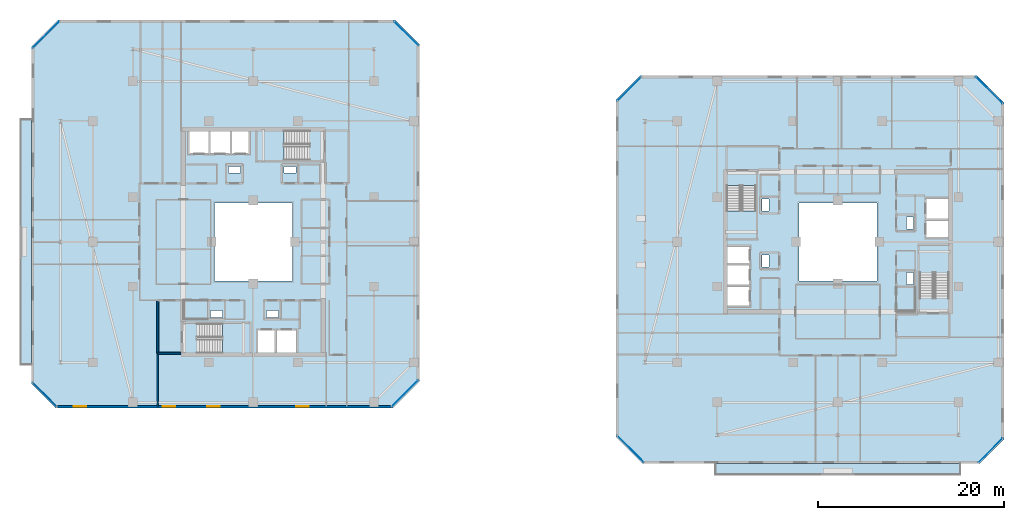
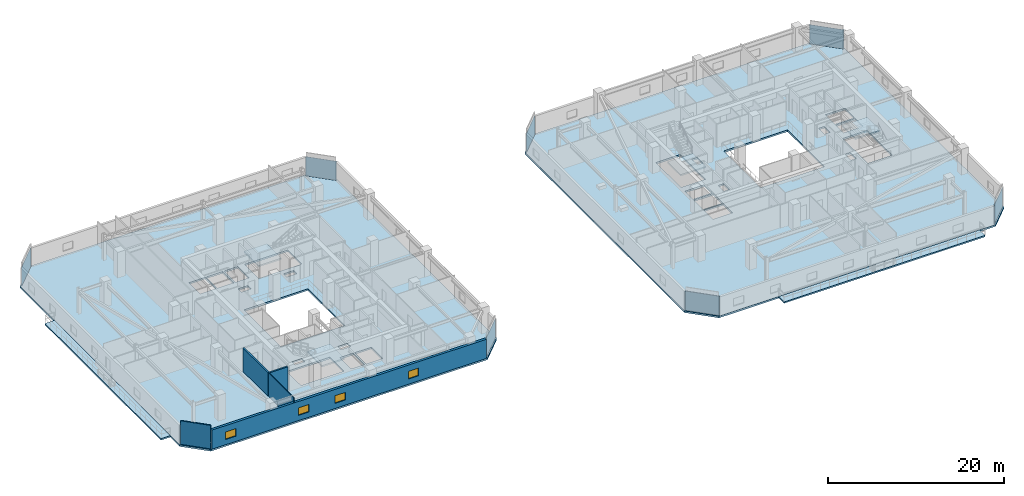
# One storey, part 18 of 33: 8 plates, 8 slabs, 5 walls, 4 windows, 4 openings, 12 elements without a shape of their own.
"""IFC4 building model written with IfcOpenShell, lengths in metres."""

from ifc_helpers import new_model, si_unit, direction, frame, frame_2d, origin, origin_2d, place, context, subcontext, project, spatial, polyline, rectangle, outline, extrude, material, layer, layer_set, type_object, element, fill, aggregate, save


model = new_model("IFC4")

# Units and contexts
model_context = context("Model", 3, precision=1e-05, world=origin(), true_north=direction((0.0, 1.0)))
body_context = subcontext(model_context, "Body", "Model", "MODEL_VIEW")
ifc_project = project(units=[si_unit("LENGTHUNIT", "METRE"), si_unit("AREAUNIT", "SQUARE_METRE"), si_unit("VOLUMEUNIT", "CUBIC_METRE"), si_unit("PLANEANGLEUNIT", "RADIAN"), si_unit("MASSUNIT", "GRAM", prefix="KILO")], contexts=[model_context])

# Site, building, storey
site_placement = place(None, origin())
site = spatial("IfcSite", under=ifc_project, at=site_placement, CompositionType="ELEMENT")
building_placement = place(site_placement, origin())
building = spatial("IfcBuilding", under=site, at=building_placement, Name="Thornwick Lancets Civic Towers", CompositionType="ELEMENT")
storey_placement = place(building_placement, frame((0.0, 0.0, 218.10009765625)))
storey = spatial("IfcBuildingStorey", under=building, at=storey_placement, Name="L58", CompositionType="ELEMENT", Elevation=218.10009765625)

# Curtain wall, plate
ifc_material_1 = material(Name="High-zone chamfered-corner unitised glass curtain wall", Category="glass")
curtain_wall_type = type_object("IfcCurtainWallType", Name="CW_SYS_05", PredefinedType="NOTDEFINED", material=ifc_material_1)
curtain_wall_1_placement = place(storey_placement, origin())
curtain_wall_1 = element("IfcCurtainWall", 1, at=curtain_wall_1_placement, inside=storey, type_object=curtain_wall_type, Name="L58 Curtain Wall CW-L58-A-E1", PredefinedType="NOTDEFINED")
ifc_material_2 = material(Name="Low-e double glazing clear glass", Category="glass")
ifc_layer_1 = layer(ifc_material_2, 0.035888671875, Name="Low-e double glazing clear glass")
ifc_layer_set_1 = layer_set([ifc_layer_1], Name="Low-e double glazing clear glass")
plate_type = type_object("IfcPlateType", Name="CW_PNL_GLASS", PredefinedType="CURTAIN_PANEL", material=ifc_layer_set_1)
plate_1_placement = place(storey_placement, frame((41.834716796875, 10.665283203125, 0.0), z_axis=(0.0, 0.0, 1.0), x_axis=(0.707106781187, 0.707106781187, 0.0)))
plate_1 = element("IfcPlate", 2, at=plate_1_placement, type_object=plate_type, Name="CW-L58-A-E1 Panel 0", PredefinedType="CURTAIN_PANEL", context=body_context, shape_type="SweptSolid", body=[
    extrude(rectangle(XDim=4.0380859375, YDim=0.035888671875, at=origin_2d()), origin(), (0.0, 0.0, 1.0), 2.659912109375),
])
aggregate(curtain_wall_1, [plate_1])

curtain_wall_2_placement = place(storey_placement, origin())
curtain_wall_2 = element("IfcCurtainWall", 3, at=curtain_wall_2_placement, inside=storey, type_object=curtain_wall_type, Name="L58 Curtain Wall CW-L58-A-E3", PredefinedType="NOTDEFINED")
plate_2_placement = place(storey_placement, frame((41.972900390625, 49.472900390625, 0.0), z_axis=(0.0, 0.0, 1.0), x_axis=(-0.707106781187, 0.707106781187, 0.0)))
plate_2 = element("IfcPlate", 4, at=plate_2_placement, type_object=plate_type, Name="CW-L58-A-E3 Panel 0", PredefinedType="CURTAIN_PANEL", context=body_context, shape_type="SweptSolid", body=[
    extrude(rectangle(XDim=3.649169921875, YDim=0.035888671875, at=origin_2d()), origin(), (0.0, 0.0, 1.0), 2.659912109375),
])
aggregate(curtain_wall_2, [plate_2])

curtain_wall_3_placement = place(storey_placement, origin())
curtain_wall_3 = element("IfcCurtainWall", 5, at=curtain_wall_3_placement, inside=storey, type_object=curtain_wall_type, Name="L58 Curtain Wall CW-L58-A-E5", PredefinedType="NOTDEFINED")
plate_3_placement = place(storey_placement, frame((3.165283203125, 49.334716796875, 0.0), z_axis=(0.0, 0.0, 1.0), x_axis=(-0.707106781187, -0.707106781187, 0.0)))
plate_3 = element("IfcPlate", 6, at=plate_3_placement, type_object=plate_type, Name="CW-L58-A-E5 Panel 0", PredefinedType="CURTAIN_PANEL", context=body_context, shape_type="SweptSolid", body=[
    extrude(rectangle(XDim=4.0380859375, YDim=0.035888671875, at=origin_2d()), origin(), (0.0, 0.0, 1.0), 2.659912109375),
])
aggregate(curtain_wall_3, [plate_3])

curtain_wall_4_placement = place(storey_placement, origin())
curtain_wall_4 = element("IfcCurtainWall", 7, at=curtain_wall_4_placement, inside=storey, type_object=curtain_wall_type, Name="L58 Curtain Wall CW-L58-A-E7", PredefinedType="NOTDEFINED")
plate_4_placement = place(storey_placement, frame((3.027099609375, 10.527099609375, 0.0), z_axis=(0.0, 0.0, 1.0), x_axis=(0.707106781187, -0.707106781187, 0.0)))
plate_4 = element("IfcPlate", 8, at=plate_4_placement, type_object=plate_type, Name="CW-L58-A-E7 Panel 0", PredefinedType="CURTAIN_PANEL", context=body_context, shape_type="SweptSolid", body=[
    extrude(rectangle(XDim=3.649169921875, YDim=0.035888671875, at=origin_2d()), origin(), (0.0, 0.0, 1.0), 2.659912109375),
])
aggregate(curtain_wall_4, [plate_4])

curtain_wall_5_placement = place(storey_placement, origin())
curtain_wall_5 = element("IfcCurtainWall", 9, at=curtain_wall_5_placement, inside=storey, type_object=curtain_wall_type, Name="L58 Curtain Wall CW-L58-B-E1", PredefinedType="NOTDEFINED")
plate_5_placement = place(storey_placement, frame((104.972900390625, 4.527099609375, 0.0), z_axis=(0.0, 0.0, 1.0), x_axis=(0.707106781187, 0.707106781187, 0.0)))
plate_5 = element("IfcPlate", 10, at=plate_5_placement, type_object=plate_type, Name="CW-L58-B-E1 Panel 0", PredefinedType="CURTAIN_PANEL", context=body_context, shape_type="SweptSolid", body=[
    extrude(rectangle(XDim=3.649169921875, YDim=0.035888671875, at=origin_2d()), origin(), (0.0, 0.0, 1.0), 2.659912109375),
])
aggregate(curtain_wall_5, [plate_5])

curtain_wall_6_placement = place(storey_placement, origin())
curtain_wall_6 = element("IfcCurtainWall", 11, at=curtain_wall_6_placement, inside=storey, type_object=curtain_wall_type, Name="L58 Curtain Wall CW-L58-B-E3", PredefinedType="NOTDEFINED")
plate_6_placement = place(storey_placement, frame((104.834716796875, 43.334716796875, 0.0), z_axis=(0.0, 0.0, 1.0), x_axis=(-0.707106781187, 0.707106781187, 0.0)))
plate_6 = element("IfcPlate", 12, at=plate_6_placement, type_object=plate_type, Name="CW-L58-B-E3 Panel 0", PredefinedType="CURTAIN_PANEL", context=body_context, shape_type="SweptSolid", body=[
    extrude(rectangle(XDim=4.0380859375, YDim=0.035888671875, at=origin_2d()), origin(), (0.0, 0.0, 1.0), 2.659912109375),
])
aggregate(curtain_wall_6, [plate_6])

curtain_wall_7_placement = place(storey_placement, origin())
curtain_wall_7 = element("IfcCurtainWall", 13, at=curtain_wall_7_placement, inside=storey, type_object=curtain_wall_type, Name="L58 Curtain Wall CW-L58-B-E5", PredefinedType="NOTDEFINED")
plate_7_placement = place(storey_placement, frame((66.027099609375, 43.472900390625, 0.0), z_axis=(0.0, 0.0, 1.0), x_axis=(-0.707106781187, -0.707106781187, 0.0)))
plate_7 = element("IfcPlate", 14, at=plate_7_placement, type_object=plate_type, Name="CW-L58-B-E5 Panel 0", PredefinedType="CURTAIN_PANEL", context=body_context, shape_type="SweptSolid", body=[
    extrude(rectangle(XDim=3.649169921875, YDim=0.035888671875, at=origin_2d()), origin(), (0.0, 0.0, 1.0), 2.659912109375),
])
aggregate(curtain_wall_7, [plate_7])

curtain_wall_8_placement = place(storey_placement, origin())
curtain_wall_8 = element("IfcCurtainWall", 15, at=curtain_wall_8_placement, inside=storey, type_object=curtain_wall_type, Name="L58 Curtain Wall CW-L58-B-E7", PredefinedType="NOTDEFINED")
plate_8_placement = place(storey_placement, frame((66.165283203125, 4.665283203125, 0.0), z_axis=(0.0, 0.0, 1.0), x_axis=(0.707106781187, -0.707106781187, 0.0)))
plate_8 = element("IfcPlate", 16, at=plate_8_placement, type_object=plate_type, Name="CW-L58-B-E7 Panel 0", PredefinedType="CURTAIN_PANEL", context=body_context, shape_type="SweptSolid", body=[
    extrude(rectangle(XDim=4.0380859375, YDim=0.035888671875, at=origin_2d()), origin(), (0.0, 0.0, 1.0), 2.659912109375),
])
aggregate(curtain_wall_8, [plate_8])

# Slabs
ifc_material_3 = material(Name="Post-tensioned concrete C40/50", Category="concrete")
ifc_layer_2 = layer(ifc_material_3, 0.199951171875, Name="Post-tensioned concrete C40/50")
ifc_layer_set_2 = layer_set([ifc_layer_2], Name="Post-tensioned concrete C40/50")
slab_type_1 = type_object("IfcSlabType", Name="SLAB_BALCONY_200", PredefinedType="FLOOR", material=ifc_layer_set_2)
slab_1_placement = place(storey_placement, frame((0.0, 0.0, -0.2001953125)))
element("IfcSlab", 17, at=slab_1_placement, inside=storey, type_object=slab_type_1, Name="L58 Tower A Planted Balcony Slab W", PredefinedType="FLOOR", context=body_context, shape_type="SweptSolid", body=[
    extrude(outline(polyline([(0.35009765625, 13.800048828125), (1.60009765625, 13.800048828125), (1.60009765625, 40.199951171875), (0.35009765625, 40.199951171875), (0.35009765625, 13.800048828125)])), origin(), (0.0, 0.0, 1.0), 0.2001953125),
])
slab_2_placement = place(storey_placement, frame((0.0, 0.0, -0.2001953125)))
element("IfcSlab", 18, at=slab_2_placement, inside=storey, type_object=slab_type_1, Name="L58 Tower B Planted Balcony Slab S", PredefinedType="FLOOR", context=body_context, shape_type="SweptSolid", body=[
    extrude(outline(polyline([(75.300048828125, 1.85009765625), (101.699951171875, 1.85009765625), (101.699951171875, 3.10009765625), (75.300048828125, 3.10009765625), (75.300048828125, 1.85009765625)])), origin(), (0.0, 0.0, 1.0), 0.2001953125),
])

# Stair, slab
ifc_material_4 = material(Name="Concrete C40/50", Category="concrete")
stair_type = type_object("IfcStairType", Name="STAIR_DL_3600", PredefinedType="HALF_TURN_STAIR", material=ifc_material_4)
stair_1_placement = place(storey_placement, origin())
stair_1 = element("IfcStair", 19, at=stair_1_placement, inside=storey, type_object=stair_type, Name="L58 Tower A South Exit Stair ST-A1", PredefinedType="HALF_TURN_STAIR")
ifc_layer_3 = layer(ifc_material_4, 0.25, Name="Concrete C40/50")
ifc_layer_set_3 = layer_set([ifc_layer_3], Name="Concrete C40/50")
slab_type_2 = type_object("IfcSlabType", Name="SLAB_LANDING_200", PredefinedType="LANDING", material=ifc_layer_set_3)
slab_3_placement = place(storey_placement, frame((0.0, 0.0, 1.602783203125)))
slab_3 = element("IfcSlab", 20, at=slab_3_placement, type_object=slab_type_2, Name="ST-A1 landing 1", PredefinedType="LANDING", context=body_context, shape_type="SweptSolid", body=[
    extrude(outline(polyline([(22.169921875, 14.93994140625), (25.14990234375, 14.93994140625), (25.14990234375, 18.260009765625), (22.169921875, 18.260009765625), (22.169921875, 14.93994140625)])), origin(), (0.0, 0.0, 1.0), 0.2001953125),
])
aggregate(stair_1, [slab_3])

stair_2_placement = place(storey_placement, origin())
stair_2 = element("IfcStair", 21, at=stair_2_placement, inside=storey, type_object=stair_type, Name="L58 Tower A North Exit Stair ST-A2", PredefinedType="HALF_TURN_STAIR")
slab_4_placement = place(storey_placement, frame((0.0, 0.0, 1.602783203125)))
slab_4 = element("IfcSlab", 22, at=slab_4_placement, type_object=slab_type_2, Name="ST-A2 landing 1", PredefinedType="LANDING", context=body_context, shape_type="SweptSolid", body=[
    extrude(outline(polyline([(28.830078125, 39.06005859375), (25.85009765625, 39.06005859375), (25.85009765625, 35.739990234375), (28.830078125, 35.739990234375), (28.830078125, 39.06005859375)])), origin(), (0.0, 0.0, 1.0), 0.2001953125),
])
aggregate(stair_2, [slab_4])

stair_3_placement = place(storey_placement, origin())
stair_3 = element("IfcStair", 23, at=stair_3_placement, inside=storey, type_object=stair_type, Name="L58 Tower B East Exit Stair ST-B1", PredefinedType="HALF_TURN_STAIR")
slab_5_placement = place(storey_placement, frame((0.0, 0.0, 1.602783203125)))
slab_5 = element("IfcSlab", 24, at=slab_5_placement, type_object=slab_type_2, Name="ST-B1 landing 1", PredefinedType="LANDING", context=body_context, shape_type="SweptSolid", body=[
    extrude(outline(polyline([(100.56005859375, 23.669921875), (100.56005859375, 26.64990234375), (97.239990234375, 26.64990234375), (97.239990234375, 23.669921875), (100.56005859375, 23.669921875)])), origin(), (0.0, 0.0, 1.0), 0.2001953125),
])
aggregate(stair_3, [slab_5])

stair_4_placement = place(storey_placement, origin())
stair_4 = element("IfcStair", 25, at=stair_4_placement, inside=storey, type_object=stair_type, Name="L58 Tower B West Exit Stair ST-B2", PredefinedType="HALF_TURN_STAIR")
slab_6_placement = place(storey_placement, frame((0.0, 0.0, 1.602783203125)))
slab_6 = element("IfcSlab", 26, at=slab_6_placement, type_object=slab_type_2, Name="ST-B2 landing 1", PredefinedType="LANDING", context=body_context, shape_type="SweptSolid", body=[
    extrude(outline(polyline([(76.43994140625, 30.330078125), (76.43994140625, 27.35009765625), (79.760009765625, 27.35009765625), (79.760009765625, 30.330078125), (76.43994140625, 30.330078125)])), origin(), (0.0, 0.0, 1.0), 0.2001953125),
])
aggregate(stair_4, [slab_6])

# Slabs
ifc_layer_4 = layer(ifc_material_3, 0.239990234375, Name="Post-tensioned concrete C40/50")
ifc_layer_set_4 = layer_set([ifc_layer_4], Name="Post-tensioned concrete C40/50")
slab_type_3 = type_object("IfcSlabType", Name="SLAB_PT_240", PredefinedType="FLOOR", material=ifc_layer_set_4)
slab_7_placement = place(storey_placement, frame((0.0, 0.0, -0.239990234375)))
element("IfcSlab", 27, at=slab_7_placement, inside=storey, type_object=slab_type_3, Name="L58 Tower A Floor Slab", PredefinedType="FLOOR", context=body_context, shape_type="SweptSolid", body=[
    extrude(outline(polyline([(4.199951171875, 9.10009765625), (40.52294921875, 9.10009765625), (43.39990234375, 11.97705078125), (43.39990234375, 48.300048828125), (40.800048828125, 50.89990234375), (4.47705078125, 50.89990234375), (1.60009765625, 48.02294921875), (1.60009765625, 11.699951171875), (4.199951171875, 9.10009765625)]), holes=[polyline([(21.300048828125, 22.800048828125), (29.699951171875, 22.800048828125), (29.699951171875, 31.199951171875), (21.300048828125, 31.199951171875), (21.300048828125, 22.800048828125)]), polyline([(19.429931640625, 15.0), (25.10009765625, 15.0), (25.10009765625, 18.199951171875), (19.429931640625, 18.199951171875), (19.429931640625, 15.0)]), polyline([(31.570068359375, 39.0), (25.89990234375, 39.0), (25.89990234375, 35.800048828125), (31.570068359375, 35.800048828125), (31.570068359375, 39.0)]), polyline([(26.0, 15.0), (27.800048828125, 15.0), (27.800048828125, 17.550048828125), (26.0, 17.550048828125), (26.0, 15.0)]), polyline([(28.0, 15.0), (30.14990234375, 15.0), (30.14990234375, 17.550048828125), (28.0, 17.550048828125), (28.0, 15.0)]), polyline([(23.199951171875, 36.449951171875), (25.0, 36.449951171875), (25.0, 39.0), (23.199951171875, 39.0), (23.199951171875, 36.449951171875)]), polyline([(20.85009765625, 36.449951171875), (23.0, 36.449951171875), (23.0, 39.0), (20.85009765625, 39.0), (20.85009765625, 36.449951171875)]), polyline([(18.60009765625, 36.449951171875), (20.699951171875, 36.449951171875), (20.699951171875, 39.0), (18.60009765625, 39.0), (18.60009765625, 36.449951171875)]), polyline([(26.89990234375, 18.85009765625), (28.199951171875, 18.85009765625), (28.199951171875, 19.580078125), (26.89990234375, 19.580078125), (26.89990234375, 18.85009765625)]), polyline([(20.89990234375, 18.85009765625), (22.199951171875, 18.85009765625), (22.199951171875, 19.580078125), (20.89990234375, 19.580078125), (20.89990234375, 18.85009765625)]), polyline([(22.800048828125, 34.419921875), (24.10009765625, 34.419921875), (24.10009765625, 35.14990234375), (22.800048828125, 35.14990234375), (22.800048828125, 34.419921875)]), polyline([(28.800048828125, 34.419921875), (30.10009765625, 34.419921875), (30.10009765625, 35.14990234375), (28.800048828125, 35.14990234375), (28.800048828125, 34.419921875)])]), origin(), (0.0, 0.0, 1.0), 0.239990234375),
])
slab_8_placement = place(storey_placement, frame((0.0, 0.0, -0.239990234375)))
element("IfcSlab", 28, at=slab_8_placement, inside=storey, type_object=slab_type_3, Name="L58 Tower B Floor Slab", PredefinedType="FLOOR", context=body_context, shape_type="SweptSolid", body=[
    extrude(outline(polyline([(67.47705078125, 3.10009765625), (103.800048828125, 3.10009765625), (106.39990234375, 5.699951171875), (106.39990234375, 42.02294921875), (103.52294921875, 44.89990234375), (67.199951171875, 44.89990234375), (64.60009765625, 42.300048828125), (64.60009765625, 5.97705078125), (67.47705078125, 3.10009765625)]), holes=[polyline([(84.300048828125, 22.800048828125), (92.699951171875, 22.800048828125), (92.699951171875, 31.199951171875), (84.300048828125, 31.199951171875), (84.300048828125, 22.800048828125)]), polyline([(100.5, 20.929931640625), (100.5, 26.60009765625), (97.300048828125, 26.60009765625), (97.300048828125, 20.929931640625), (100.5, 20.929931640625)]), polyline([(76.5, 33.070068359375), (76.5, 27.39990234375), (79.699951171875, 27.39990234375), (79.699951171875, 33.070068359375), (76.5, 33.070068359375)]), polyline([(97.949951171875, 27.5), (100.5, 27.5), (100.5, 29.300048828125), (97.949951171875, 29.300048828125), (97.949951171875, 27.5)]), polyline([(97.949951171875, 29.5), (100.5, 29.5), (100.5, 31.64990234375), (97.949951171875, 31.64990234375), (97.949951171875, 29.5)]), polyline([(76.5, 24.699951171875), (79.050048828125, 24.699951171875), (79.050048828125, 26.5), (76.5, 26.5), (76.5, 24.699951171875)]), polyline([(76.5, 22.35009765625), (79.050048828125, 22.35009765625), (79.050048828125, 24.5), (76.5, 24.5), (76.5, 22.35009765625)]), polyline([(76.5, 20.10009765625), (79.050048828125, 20.10009765625), (79.050048828125, 22.199951171875), (76.5, 22.199951171875), (76.5, 20.10009765625)]), polyline([(95.919921875, 28.39990234375), (96.64990234375, 28.39990234375), (96.64990234375, 29.699951171875), (95.919921875, 29.699951171875), (95.919921875, 28.39990234375)]), polyline([(95.919921875, 22.39990234375), (96.64990234375, 22.39990234375), (96.64990234375, 23.699951171875), (95.919921875, 23.699951171875), (95.919921875, 22.39990234375)]), polyline([(80.35009765625, 24.300048828125), (81.080078125, 24.300048828125), (81.080078125, 25.60009765625), (80.35009765625, 25.60009765625), (80.35009765625, 24.300048828125)]), polyline([(80.35009765625, 30.300048828125), (81.080078125, 30.300048828125), (81.080078125, 31.60009765625), (80.35009765625, 31.60009765625), (80.35009765625, 30.300048828125)])]), origin(), (0.0, 0.0, 1.0), 0.239990234375),
])

# Walls
ifc_material_5 = material(Name="Concrete blockwork C40/50", Category="masonry")
ifc_layer_5 = layer(ifc_material_5, 0.199951171875, Name="Concrete blockwork C40/50")
ifc_layer_set_5 = layer_set([ifc_layer_5], Name="Concrete blockwork C40/50")
wall_type_1 = type_object("IfcWallType", Name="WALL_COMP_200", PredefinedType="STANDARD", material=ifc_layer_set_5)
wall_1_placement = place(storey_placement, frame((15.199951171875, 15.0, 0.0), z_axis=(0.0, 0.0, 1.0), x_axis=(1.0, 0.0, 0.0)))
element("IfcWall", 29, at=wall_1_placement, inside=storey, type_object=wall_type_1, Name="L58 Partition L58-A-FFLOB1 E1", PredefinedType="STANDARD", context=body_context, shape_type="SweptSolid", body=[
    extrude(rectangle(XDim=2.5, YDim=0.199951171875, at=frame_2d((1.25, 0.0))), origin(), (0.0, 0.0, 1.0), 3.260009765625),
])
wall_2_placement = place(storey_placement, frame((15.199951171875, 20.699951171875, 0.0), z_axis=(0.0, 0.0, 1.0), x_axis=(0.0, -1.0, 0.0)))
element("IfcWall", 30, at=wall_2_placement, inside=storey, type_object=wall_type_1, Name="L58 Partition L58-A-FFLOB1 E4", PredefinedType="STANDARD", context=body_context, shape_type="SweptSolid", body=[
    extrude(rectangle(XDim=5.699951171875, YDim=0.199951171875, at=frame_2d((2.85009765625, 0.0))), origin(), (0.0, 0.0, 1.0), 3.260009765625),
])

# Wall, openings, windows
ifc_material_6 = material(Name="Insulated russet terracotta rainscreen on concrete C40/50", Category="masonry")
ifc_layer_6 = layer(ifc_material_6, 0.300048828125, Name="Insulated russet terracotta rainscreen on concrete C40/50")
ifc_layer_set_6 = layer_set([ifc_layer_6], Name="Insulated russet terracotta rainscreen on concrete C40/50")
wall_type_2 = type_object("IfcWallType", Name="WALL_EXT_RUSSET_300", PredefinedType="STANDARD", material=ifc_layer_set_6)
wall_3_placement = place(storey_placement, frame((4.318603515625, 9.2353515625, 0.0), z_axis=(0.0, 0.0, 1.0), x_axis=(0.999999999634, 2.7061402e-05, 0.0)))
wall_3 = element("IfcWall", 31, at=wall_3_placement, inside=storey, type_object=wall_type_2, Name="L58 Tower A Terracotta Facade Wall E0", PredefinedType="STANDARD", context=body_context, shape_type="SweptSolid", body=[
    extrude(rectangle(XDim=36.0869140625, YDim=0.300048828125, at=frame_2d((18.04345703125, 0.0))), origin(), (0.0, 0.0, 1.0), 2.659912109375),
])
opening_1_placement = place(wall_3_placement, frame((1.800048828125, 0.0, 0.719970703125)))
opening_1 = element("IfcOpeningElement", 32, at=opening_1_placement, cuts=wall_3, Name="Opening WL-03", PredefinedType="OPENING", context=body_context, shape_type="SweptSolid", body=[
    extrude(rectangle(XDim=1.35009765625, YDim=1.050048828125, at=frame_2d((0.675048828125, 0.52490234375))), frame((0.0, 0.16015625, 0.0), z_axis=(0.0, -1.0, 0.0), x_axis=(1.0, 0.0, 0.0)), (0.0, 0.0, 1.0), 0.320068359375),
])
opening_2_placement = place(wall_3_placement, frame((11.39990234375, 0.0, 0.719970703125)))
opening_2 = element("IfcOpeningElement", 33, at=opening_2_placement, cuts=wall_3, Name="Opening WL-03", PredefinedType="OPENING", context=body_context, shape_type="SweptSolid", body=[
    extrude(rectangle(XDim=1.35009765625, YDim=1.050048828125, at=frame_2d((0.675048828125, 0.52490234375))), frame((0.0, 0.16015625, 0.0), z_axis=(0.0, -1.0, 0.0), x_axis=(1.0, 0.0, 0.0)), (0.0, 0.0, 1.0), 0.320068359375),
])
opening_3_placement = place(wall_3_placement, frame((16.199951171875, 0.0, 0.719970703125)))
opening_3 = element("IfcOpeningElement", 34, at=opening_3_placement, cuts=wall_3, Name="Opening WL-03", PredefinedType="OPENING", context=body_context, shape_type="SweptSolid", body=[
    extrude(rectangle(XDim=1.35009765625, YDim=1.050048828125, at=frame_2d((0.675048828125, 0.52490234375))), frame((0.0, 0.16015625, 0.0), z_axis=(0.0, -1.0, 0.0), x_axis=(1.0, 0.0, 0.0)), (0.0, 0.0, 1.0), 0.320068359375),
])
opening_4_placement = place(wall_3_placement, frame((25.800048828125, 0.0, 0.719970703125)))
opening_4 = element("IfcOpeningElement", 35, at=opening_4_placement, cuts=wall_3, Name="Opening WL-03", PredefinedType="OPENING", context=body_context, shape_type="SweptSolid", body=[
    extrude(rectangle(XDim=1.35009765625, YDim=1.050048828125, at=frame_2d((0.675048828125, 0.52490234375))), frame((0.0, 0.16015625, 0.0), z_axis=(0.0, -1.0, 0.0), x_axis=(1.0, 0.0, 0.0)), (0.0, 0.0, 1.0), 0.320068359375),
])
ifc_material_7 = material(Name="Clear low-e double glazing clerestory lancet", Category="glass")
window_type = type_object("IfcWindowType", Name="WIN_LANCET_1350", PartitioningType="SINGLE_PANEL", PredefinedType="WINDOW", material=ifc_material_7)
window_1_placement = place(opening_1_placement, origin())
window_1 = element("IfcWindow", 36, at=window_1_placement, inside=storey, type_object=window_type, Name="L58 Tower A Staggered Lancet Window E0-1", OverallHeight=1.050048828125, OverallWidth=1.35009765625, PartitioningType="SINGLE_PANEL", PredefinedType="WINDOW", context=body_context, shape_type="SweptSolid", body=[
    extrude(rectangle(XDim=1.35009765625, YDim=1.050048828125, at=frame_2d((0.675048828125, 0.52490234375))), frame((0.0, 0.030029296875, 0.0), z_axis=(0.0, -1.0, 0.0), x_axis=(1.0, 0.0, 0.0)), (0.0, 0.0, 1.0), 0.06005859375),
])
fill(opening_1, window_1)
window_2_placement = place(opening_2_placement, origin())
window_2 = element("IfcWindow", 37, at=window_2_placement, inside=storey, type_object=window_type, Name="L58 Tower A Staggered Lancet Window E0-2", OverallHeight=1.050048828125, OverallWidth=1.35009765625, PartitioningType="SINGLE_PANEL", PredefinedType="WINDOW", context=body_context, shape_type="SweptSolid", body=[
    extrude(rectangle(XDim=1.35009765625, YDim=1.050048828125, at=frame_2d((0.675048828125, 0.52490234375))), frame((0.0, 0.030029296875, 0.0), z_axis=(0.0, -1.0, 0.0), x_axis=(1.0, 0.0, 0.0)), (0.0, 0.0, 1.0), 0.06005859375),
])
fill(opening_2, window_2)
window_3_placement = place(opening_3_placement, origin())
window_3 = element("IfcWindow", 38, at=window_3_placement, inside=storey, type_object=window_type, Name="L58 Tower A Staggered Lancet Window E0-3", OverallHeight=1.050048828125, OverallWidth=1.35009765625, PartitioningType="SINGLE_PANEL", PredefinedType="WINDOW", context=body_context, shape_type="SweptSolid", body=[
    extrude(rectangle(XDim=1.35009765625, YDim=1.050048828125, at=frame_2d((0.675048828125, 0.52490234375))), frame((0.0, 0.030029296875, 0.0), z_axis=(0.0, -1.0, 0.0), x_axis=(1.0, 0.0, 0.0)), (0.0, 0.0, 1.0), 0.06005859375),
])
fill(opening_3, window_3)
window_4_placement = place(opening_4_placement, origin())
window_4 = element("IfcWindow", 39, at=window_4_placement, inside=storey, type_object=window_type, Name="L58 Tower A Staggered Lancet Window E0-4", OverallHeight=1.050048828125, OverallWidth=1.35009765625, PartitioningType="SINGLE_PANEL", PredefinedType="WINDOW", context=body_context, shape_type="SweptSolid", body=[
    extrude(rectangle(XDim=1.35009765625, YDim=1.050048828125, at=frame_2d((0.675048828125, 0.52490234375))), frame((0.0, 0.030029296875, 0.0), z_axis=(0.0, -1.0, 0.0), x_axis=(1.0, 0.0, 0.0)), (0.0, 0.0, 1.0), 0.06005859375),
])
fill(opening_4, window_4)

# Walls
ifc_material_8 = material(Name="Acoustic gypsum board partition")
ifc_layer_7 = layer(ifc_material_8, 0.1201171875, Name="Acoustic gypsum board partition")
ifc_layer_set_7 = layer_set([ifc_layer_7], Name="Acoustic gypsum board partition")
wall_type_3 = type_object("IfcWallType", Name="WALL_PART_120", PredefinedType="PARTITIONING", material=ifc_layer_set_7)
wall_4_placement = place(storey_placement, frame((15.199951171875, 15.0, 0.0), z_axis=(0.0, 0.0, 1.0), x_axis=(0.0, -1.0, 0.0)))
element("IfcWall", 40, at=wall_4_placement, inside=storey, type_object=wall_type_3, Name="L58 Partition L58-A-W1 E7", PredefinedType="PARTITIONING", context=body_context, shape_type="SweptSolid", body=[
    extrude(rectangle(XDim=5.719970703125, YDim=0.1201171875, at=frame_2d((2.85986328125, 0.0))), origin(), (0.0, 0.0, 1.0), 3.260009765625),
])
wall_5_placement = place(storey_placement, frame((4.274658203125, 9.280029296875, 0.0), z_axis=(0.0, 0.0, 1.0), x_axis=(-0.707106781187, 0.707106781187, 0.0)))
element("IfcWall", 41, at=wall_5_placement, inside=storey, type_object=wall_type_3, Name="L58 Partition L58-A-W1 E9", PredefinedType="PARTITIONING", context=body_context, shape_type="SweptSolid", body=[
    extrude(rectangle(XDim=3.52783203125, YDim=0.1201171875, at=frame_2d((1.763916015625, 0.0))), origin(), (0.0, 0.0, 1.0), 3.260009765625),
])

save(model, "model.ifc")
